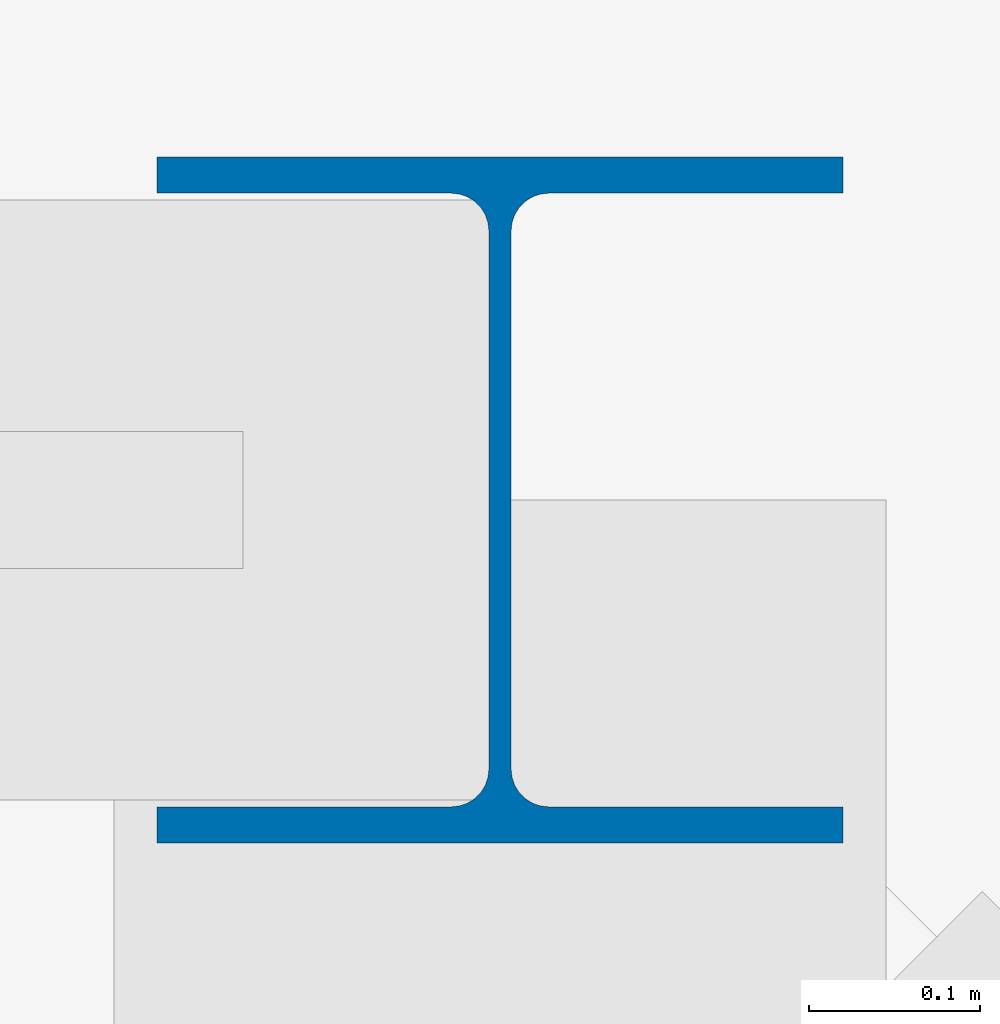
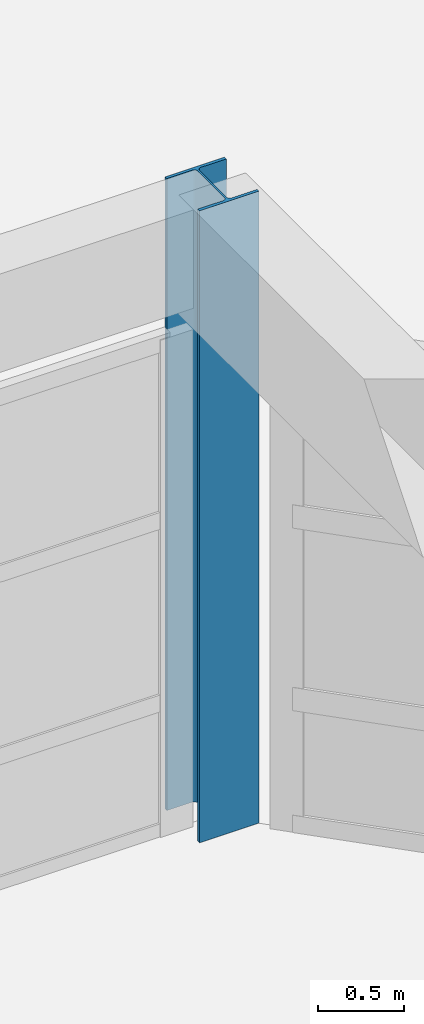
# One storey, part 7 of 47: 1 column.
"""IFC4 building model written with IfcOpenShell, lengths in metres."""

from ifc_helpers import new_model, si_unit, direction, frame, origin, origin_2d, place, context, subcontext, project, spatial, i_section, extrude, material, material_profile, profile_set, type_object, element, save


model = new_model("IFC4")

# Units and contexts
model_context = context("Model", 3, precision=1e-05, world=origin(), true_north=direction((0.0, 1.0)))
body_context = subcontext(model_context, "Body", "Model", "MODEL_VIEW")
ifc_project = project(units=[si_unit("LENGTHUNIT", "METRE"), si_unit("AREAUNIT", "SQUARE_METRE"), si_unit("VOLUMEUNIT", "CUBIC_METRE"), si_unit("PLANEANGLEUNIT", "RADIAN"), si_unit("MASSUNIT", "GRAM", prefix="KILO")], contexts=[model_context])

# Site, building, storey
site_placement = place(None, origin())
site = spatial("IfcSite", under=ifc_project, at=site_placement, CompositionType="ELEMENT")
building_placement = place(site_placement, origin())
building = spatial("IfcBuilding", under=site, at=building_placement, Name="Xuanlan Plaza Opera House", CompositionType="ELEMENT")
storey_placement = place(building_placement, frame((0.0, 0.0, 23.39990234375)))
storey = spatial("IfcBuildingStorey", under=building, at=storey_placement, Name="L05", CompositionType="ELEMENT", Elevation=23.39990234375)

# Column
ifc_material = material(Name="Steel Q355B", Category="steel")
ifc_material_profile = material_profile(ifc_material, i_section(OverallWidth=0.39990234375, OverallDepth=0.39990234375, WebThickness=0.012939453125, FlangeThickness=0.02099609375, FilletRadius=0.02197265625, at=origin_2d()), Name="HW 400x400x13x21")
ifc_profile_set = profile_set([ifc_material_profile], Name="Steel Q355B")
column_type = type_object("IfcColumnType", Name="STR-COL-C-14", PredefinedType="COLUMN", material=ifc_profile_set)
column_placement = place(storey_placement, frame((159.60009765625, 84.0, 0.0), z_axis=(0.0, 0.0, 1.0), x_axis=(1.0, 0.0, 0.0)))
element("IfcColumn", 1, at=column_placement, inside=storey, type_object=column_type, Name="Column L05 20-K", PredefinedType="COLUMN", context=body_context, shape_type="SweptSolid", body=[
    extrude(i_section(OverallWidth=0.39990234375, OverallDepth=0.39990234375, WebThickness=0.012939453125, FlangeThickness=0.02099609375, FilletRadius=0.02197265625, at=origin_2d()), origin(), (0.0, 0.0, 1.0), 4.5),
])

save(model, "model.ifc")
